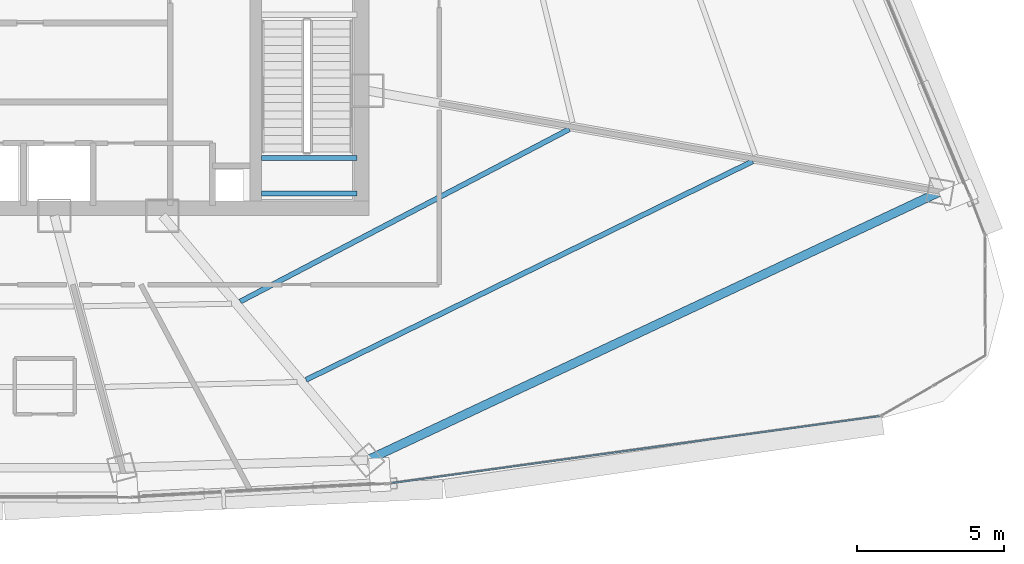
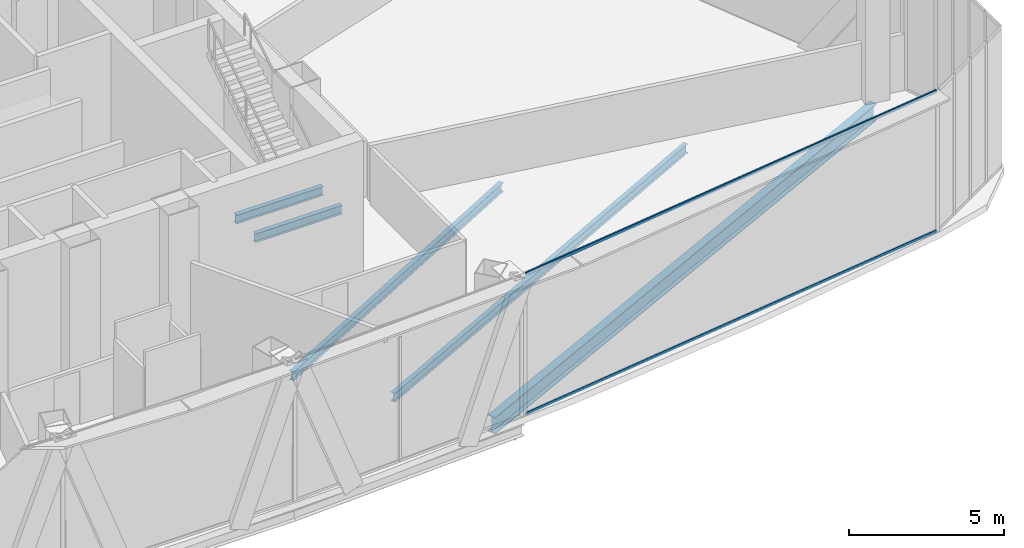
# One storey, part 13 of 38: 5 beams, 2 members, 1 element without a shape of its own.
"""IFC4 building model written with IfcOpenShell, lengths in metres."""

import ifcopenshell
import ifcopenshell.guid

model = None  # the IFC model being written
_history = None  # IfcOwnerHistory: only IFC2X3 demands one
_inside = {}  # id of a spatial element -> (the spatial element, [elements in it])
_under = {}  # id of a project, library or spatial element -> (it, [spatial elements below it])
_declared = {}  # id of a project -> (the project, [libraries it declares])
_typed = {}  # id of a type object -> (the type object, [elements of that type])
_made_of = {}  # id of a material, layer set ... -> (it, [elements and type objects made of it])


def new_model(schema):
    """Start an empty IFC model of exactly this schema.

    Asked for "IFC4X3", IfcOpenShell would pick the latest addendum, in which some entities
    have other attributes; the version numbers below select the first issue.
    IFC2X3 requires an IfcOwnerHistory on every rooted entity: one is made here for all.
    """
    global model, _history
    if schema == "IFC4X3":
        model = ifcopenshell.file(schema_version=(4, 3, 0, 0))
    else:
        model = ifcopenshell.file(schema=schema)
    _inside.clear()
    _under.clear()
    _declared.clear()
    _typed.clear()
    _made_of.clear()
    _history = None
    if model.schema == "IFC2X3":
        org = make("IfcOrganization", Name="unknown")
        user = make(
            "IfcPersonAndOrganization",
            ThePerson=make("IfcPerson", FamilyName="unknown"),
            TheOrganization=org,
        )
        app = make(
            "IfcApplication",
            ApplicationDeveloper=org,
            Version="unknown",
            ApplicationFullName="unknown",
            ApplicationIdentifier="unknown",
        )
        _history = make(
            "IfcOwnerHistory",
            OwningUser=user,
            OwningApplication=app,
            ChangeAction="ADDED",
            CreationDate=0,
        )
    return model


def make(cls, **values):
    """One entity of the class cls with the attributes given. An attribute that is None is left unset."""
    return model.create_entity(
        cls, **{name: value for name, value in values.items() if value is not None}
    )


def rooted(cls, **values):
    """An entity with a GlobalId (a new one), such as an element, a storey or a relation."""
    return make(cls, GlobalId=ifcopenshell.guid.new(), OwnerHistory=_history, **values)


def si_unit(unit_type, name, prefix=None):
    """IfcSIUnit, for example si_unit("LENGTHUNIT", "METRE", prefix="MILLI")."""
    return make("IfcSIUnit", UnitType=unit_type, Prefix=prefix, Name=name)


def assignment(units):
    """IfcUnitAssignment: the units of a project."""
    return None if units is None else make("IfcUnitAssignment", Units=units)


def point(xyz):
    """IfcCartesianPoint."""
    return None if xyz is None else make("IfcCartesianPoint", Coordinates=xyz)


def direction(xyz):
    """IfcDirection."""
    return None if xyz is None else make("IfcDirection", DirectionRatios=xyz)


def frame(location, z_axis=None, x_axis=None):
    """IfcAxis2Placement3D, a coordinate frame: its origin and axes. An axis left out is left unset."""
    return make(
        "IfcAxis2Placement3D",
        Location=point(location),
        Axis=direction(z_axis),
        RefDirection=direction(x_axis),
    )


def frame_2d(location, x_axis=None):
    """IfcAxis2Placement2D, a coordinate frame in the plane: its origin and x axis."""
    return make(
        "IfcAxis2Placement2D", Location=point(location), RefDirection=direction(x_axis)
    )


def origin():
    """The frame at (0, 0, 0) with its axes left unset."""
    return frame((0.0, 0.0, 0.0))


def origin_2d():
    """The frame at (0, 0) in the plane with its x axis left unset."""
    return frame_2d((0.0, 0.0))


def place(relative_to, where):
    """IfcLocalPlacement: puts the frame where relative to a parent placement (None: the world)."""
    return make(
        "IfcLocalPlacement", PlacementRelTo=relative_to, RelativePlacement=where
    )


def context(
    kind, dimensions, precision=None, world=None, true_north=None, identifier=None
):
    """IfcGeometricRepresentationContext, for example the 3D "Model" context."""
    return make(
        "IfcGeometricRepresentationContext",
        ContextIdentifier=identifier,
        ContextType=kind,
        CoordinateSpaceDimension=dimensions,
        Precision=precision,
        WorldCoordinateSystem=world,
        TrueNorth=true_north,
    )


def subcontext(parent, identifier, kind, view, scale=None):
    """IfcGeometricRepresentationSubContext, for example "Body" below "Model"."""
    return make(
        "IfcGeometricRepresentationSubContext",
        ContextIdentifier=identifier,
        ContextType=kind,
        ParentContext=parent,
        TargetScale=scale,
        TargetView=view,
    )


def project(units=None, contexts=None):
    """IfcProject with its units and contexts."""
    return rooted(
        "IfcProject",
        Name="project",
        RepresentationContexts=contexts,
        UnitsInContext=assignment(units),
    )


def spatial(cls, under=None, at=None, **own):
    """A site, building, storey or space (cls), placed at a placement, below another one or the project."""
    s = rooted(cls, ObjectPlacement=at, **own)
    if under is not None:
        _under.setdefault(under.id(), (under, []))[1].append(s)
    return s


def profile(cls, at=None, kind="AREA", **sizes):
    """A parametric profile (cls). Its sizes go by their IFC names, for example OverallWidth=200.0."""
    return make(cls, ProfileType=kind, Position=at, **sizes)


def hollow_rectangle(**sizes):
    """IfcRectangleHollowProfileDef."""
    return profile("IfcRectangleHollowProfileDef", **sizes)


def i_section(**sizes):
    """IfcIShapeProfileDef."""
    return profile("IfcIShapeProfileDef", **sizes)


def extrude(swept, where, along, depth):
    """IfcExtrudedAreaSolid: the profile swept, set in the frame where, extruded along a direction by depth."""
    return make(
        "IfcExtrudedAreaSolid",
        SweptArea=swept,
        Position=where,
        ExtrudedDirection=direction(along),
        Depth=depth,
    )


def shape(context_of_items, identifier, shape_type, items):
    """IfcShapeRepresentation: the items that make up one representation, for example the "Body"."""
    return make(
        "IfcShapeRepresentation",
        ContextOfItems=context_of_items,
        RepresentationIdentifier=identifier,
        RepresentationType=shape_type,
        Items=items,
    )


def source(mapping_origin, context_of_items, identifier, shape_type, items):
    """IfcRepresentationMap: a shape defined once, which mapped items show again and again."""
    return make(
        "IfcRepresentationMap",
        MappingOrigin=mapping_origin,
        MappedRepresentation=shape(context_of_items, identifier, shape_type, items),
    )


def transform(
    local_origin,
    x_axis=None,
    y_axis=None,
    z_axis=None,
    scale=None,
    scale2=None,
    scale3=None,
    uniform=True,
):
    """IfcCartesianTransformationOperator3D, or its non-uniform kind. x_axis, y_axis, z_axis: its Axis1, 2, 3."""
    if uniform:
        return make(
            "IfcCartesianTransformationOperator3D",
            Axis1=direction(x_axis),
            Axis2=direction(y_axis),
            LocalOrigin=point(local_origin),
            Scale=scale,
            Axis3=direction(z_axis),
        )
    return make(
        "IfcCartesianTransformationOperator3DnonUniform",
        Axis1=direction(x_axis),
        Axis2=direction(y_axis),
        LocalOrigin=point(local_origin),
        Scale=scale,
        Axis3=direction(z_axis),
        Scale2=scale2,
        Scale3=scale3,
    )


def mapped(mapping_source, mapping_target):
    """IfcMappedItem: shows the shape of a source again, moved by a transform."""
    return make(
        "IfcMappedItem", MappingSource=mapping_source, MappingTarget=mapping_target
    )


def material(Name=None, Category=None):
    """IfcMaterial."""
    return make("IfcMaterial", Name=Name, Category=Category)


def layer(
    of_material, thickness, ventilated=None, Name=None, Category=None, Priority=None
):
    """IfcMaterialLayer: one layer of a wall or slab, of a material (None: an air gap)."""
    return make(
        "IfcMaterialLayer",
        Material=of_material,
        LayerThickness=thickness,
        IsVentilated=ventilated,
        Name=Name,
        Category=Category,
        Priority=Priority,
    )


def layer_set(layers, Name=None):
    """IfcMaterialLayerSet."""
    return make("IfcMaterialLayerSet", MaterialLayers=layers, LayerSetName=Name)


def material_profile(
    of_material, cross_section, Name=None, Category=None, Priority=None
):
    """IfcMaterialProfile: a cross section and its material."""
    return make(
        "IfcMaterialProfile",
        Name=Name,
        Material=of_material,
        Profile=cross_section,
        Priority=Priority,
        Category=Category,
    )


def profile_set(profiles, Name=None, composite=None):
    """IfcMaterialProfileSet."""
    return make(
        "IfcMaterialProfileSet",
        Name=Name,
        MaterialProfiles=profiles,
        CompositeProfile=composite,
    )


def made_of(thing, what):
    """Note that an element or type object is made of a material, layer set ...; save() writes the relation."""
    if what is not None:
        _made_of.setdefault(what.id(), (what, []))[1].append(thing)
    return thing


def type_object(cls, material=None, **own):
    """A type object (cls), such as IfcWallType, which elements share."""
    return made_of(rooted(cls, **own), material)


def element(
    cls,
    number,
    at=None,
    inside=None,
    cuts=None,
    type_object=None,
    material=None,
    context=None,
    identifier="Body",
    shape_type=None,
    held_by="IfcProductDefinitionShape",
    body=None,
    shapes=None,
    **own,
):
    """One element of the class cls, such as IfcWall. Its Tag is "e" and its number.

    at: its placement. inside: the storey or other place that contains it. cuts: it is an
    opening in that element (IfcRelVoidsElement). A single representation is given by context,
    identifier, shape_type and body (its items); several are given by shapes. held_by: the class
    of the entity that holds the representations. save() writes the other relations.
    """
    e = rooted(cls, Tag="e%d" % number, ObjectPlacement=at, **own)
    if body is not None:
        shapes = [shape(context, identifier, shape_type, body)]
    if shapes is not None:
        e.Representation = make(held_by, Representations=shapes)
    if inside is not None:
        _inside.setdefault(inside.id(), (inside, []))[1].append(e)
    if cuts is not None:
        rooted(
            "IfcRelVoidsElement", RelatingBuildingElement=cuts, RelatedOpeningElement=e
        )
    if type_object is not None:
        _typed.setdefault(type_object.id(), (type_object, []))[1].append(e)
    return made_of(e, material)


def aggregate(whole, parts):
    """IfcRelAggregates: a whole, such as a stair, and the parts it consists of."""
    return rooted("IfcRelAggregates", RelatingObject=whole, RelatedObjects=parts)


def save(model, path):
    """Write the relations noted so far, then the file.

    IfcRelAggregates (storeys below a building ...), IfcRelContainedInSpatialStructure (elements
    in a storey), IfcRelDefinesByType, IfcRelAssociatesMaterial and IfcRelDeclares: one each for
    every whole, place, type object, material and project.
    """
    for whole, parts in _under.values():
        aggregate(whole, parts)
    for where, things in _inside.values():
        rooted(
            "IfcRelContainedInSpatialStructure",
            RelatedElements=things,
            RelatingStructure=where,
        )
    for kind, things in _typed.values():
        rooted("IfcRelDefinesByType", RelatedObjects=things, RelatingType=kind)
    for what, things in _made_of.values():
        rooted("IfcRelAssociatesMaterial", RelatedObjects=things, RelatingMaterial=what)
    for by, libraries in _declared.values():
        rooted("IfcRelDeclares", RelatingContext=by, RelatedDefinitions=libraries)
    model.write(path)


model = new_model("IFC4")

# Units and contexts
model_context = context("Model", 3, precision=1e-05, world=origin(), true_north=direction((0.0, 1.0)))
body_context = subcontext(model_context, "Body", "Model", "MODEL_VIEW")
ifc_project = project(units=[si_unit("LENGTHUNIT", "METRE"), si_unit("AREAUNIT", "SQUARE_METRE"), si_unit("VOLUMEUNIT", "CUBIC_METRE"), si_unit("PLANEANGLEUNIT", "RADIAN"), si_unit("MASSUNIT", "GRAM", prefix="KILO"), si_unit("THERMODYNAMICTEMPERATUREUNIT", "KELVIN"), si_unit("POWERUNIT", "WATT")], contexts=[model_context])

# Site, building, storey
site_placement = place(None, origin())
site = spatial("IfcSite", under=ifc_project, at=site_placement, CompositionType="ELEMENT")
building_placement = place(site_placement, origin())
building = spatial("IfcBuilding", under=site, at=building_placement, Name="Yunzhuo Pagoda Commons", CompositionType="ELEMENT")
storey_placement = place(building_placement, frame((0.0, 0.0, 266.909912109375)))
storey = spatial("IfcBuildingStorey", under=building, at=storey_placement, Name="L67", CompositionType="ELEMENT", Elevation=266.909912109375)

# Beams
ifc_material_1 = material(Name="Structural steel Q355B", Category="steel")
ifc_material_profile_1 = material_profile(ifc_material_1, i_section(OverallWidth=0.175048828125, OverallDepth=0.35009765625, WebThickness=0.007080078125, FlangeThickness=0.010986328125, at=origin_2d()), Name="Structural steel Q355B")
ifc_profile_set_1 = profile_set([ifc_material_profile_1], Name="Structural steel Q355B")
beam_type_1 = type_object("IfcBeamType", Name="B-JS2 Joist HN 350x175x7x11", PredefinedType="JOIST", material=ifc_profile_set_1)
shared_shape_1 = source(origin(), body_context, "Body", "SweptSolid", [
    extrude(i_section(OverallWidth=0.175048828125, OverallDepth=0.35009765625, WebThickness=0.007080078125, FlangeThickness=0.010986328125, at=origin_2d()), origin(), (0.0, 0.0, 1.0), 3.25),
])
for number, where, z_axis, x_axis, name in (
    (1, (56.800048828125, 28.0, 2.550048828125), (1.0, 0.0, 0.0), (0.0, 1.0, 0.0), "L67 ST2 landing support beam 73A"),
    (2, (56.800048828125, 29.219970703125, 2.550048828125), (1.0, 0.0, 0.0), (0.0, 1.0, 0.0), "L67 ST2 landing support beam 73B"),
):
    element("IfcBeam", number, at=place(storey_placement, frame(where, z_axis=z_axis, x_axis=x_axis)), inside=storey, type_object=beam_type_1, Name=name, PredefinedType="JOIST", context=body_context, shape_type="MappedRepresentation", body=[
        mapped(shared_shape_1, transform((0.0, 0.0, 0.0), scale=1.0)),
    ])
ifc_material_profile_2 = material_profile(ifc_material_1, i_section(OverallWidth=0.300048828125, OverallDepth=0.64990234375, WebThickness=0.012939453125, FlangeThickness=0.02197265625, at=origin_2d()), Name="Structural steel Q355B")
ifc_profile_set_2 = profile_set([ifc_material_profile_2], Name="Structural steel Q355B")
beam_type_2 = type_object("IfcBeamType", Name="B-RG2 Beam HN 650x300x13x22", PredefinedType="BEAM", material=ifc_profile_set_2)
shared_shape_2 = source(origin(), body_context, "Body", "SweptSolid", [
    extrude(i_section(OverallWidth=0.300048828125, OverallDepth=0.64990234375, WebThickness=0.012939453125, FlangeThickness=0.02197265625, at=origin_2d()), origin(), (0.0, 0.0, 1.0), 21.56689453125),
])
beam_1_placement = place(storey_placement, frame((60.406982421875, 18.913818359375, -0.5849609375), z_axis=(0.905424265365, 0.424507832304, 0.0), x_axis=(-0.424507832304, 0.905424265365, 0.0)))
element("IfcBeam", 3, at=beam_1_placement, inside=storey, type_object=beam_type_2, Name="L67 column-ring beam 4", PredefinedType="BEAM", context=body_context, shape_type="MappedRepresentation", body=[
    mapped(shared_shape_2, transform((0.0, 0.0, 0.0), scale=1.0)),
])
shared_shape_3 = source(origin(), body_context, "Body", "SweptSolid", [
    extrude(i_section(OverallWidth=0.175048828125, OverallDepth=0.35009765625, WebThickness=0.007080078125, FlangeThickness=0.010986328125, at=origin_2d()), origin(), (0.0, 0.0, 1.0), 12.666259765625),
])
beam_2_placement = place(storey_placement, frame((56.0712890625, 24.32275390625, -0.434814453125), z_axis=(0.885841344078, 0.463988268302, 0.0), x_axis=(-0.463988268302, 0.885841344078, 0.0)))
element("IfcBeam", 4, at=beam_2_placement, inside=storey, type_object=beam_type_1, Name="L67 composite ring joist 1.4", PredefinedType="JOIST", context=body_context, shape_type="MappedRepresentation", body=[
    mapped(shared_shape_3, transform((0.0, 0.0, 0.0), scale=1.0)),
])
shared_shape_4 = source(origin(), body_context, "Body", "SweptSolid", [
    extrude(i_section(OverallWidth=0.175048828125, OverallDepth=0.35009765625, WebThickness=0.007080078125, FlangeThickness=0.010986328125, at=origin_2d()), origin(), (0.0, 0.0, 1.0), 16.95361328125),
])
beam_3_placement = place(storey_placement, frame((58.3115234375, 21.6513671875, -0.434814453125), z_axis=(0.898261717675, 0.439460904473, 0.0), x_axis=(-0.439460904473, 0.898261717675, 0.0)))
element("IfcBeam", 5, at=beam_3_placement, inside=storey, type_object=beam_type_1, Name="L67 composite ring joist 2.4", PredefinedType="JOIST", context=body_context, shape_type="MappedRepresentation", body=[
    mapped(shared_shape_4, transform((0.0, 0.0, 0.0), scale=1.0)),
])

# Curtain wall, members
ifc_material_2 = material(Name="Anodized aluminium 6063-T6", Category="aluminium")
ifc_layer = layer(ifc_material_2, 0.139892578125)
ifc_layer_set = layer_set([ifc_layer], Name="Anodized aluminium 6063-T6")
curtain_wall_type = type_object("IfcCurtainWallType", Name="CW-HI High-Zone Ribbon Curtain Wall", PredefinedType="NOTDEFINED", material=ifc_layer_set)
curtain_wall_placement = place(storey_placement, origin())
curtain_wall = element("IfcCurtainWall", 6, at=curtain_wall_placement, inside=storey, type_object=curtain_wall_type, Name="L67 curtain wall CW-L67-F1B5", PredefinedType="NOTDEFINED")
ifc_material_profile_3 = material_profile(ifc_material_2, hollow_rectangle(XDim=0.054931640625, YDim=0.1201171875, WallThickness=0.00341796875, at=origin_2d()), Name="Anodized aluminium 6063-T6")
ifc_profile_set_3 = profile_set([ifc_material_profile_3], Name="Anodized aluminium 6063-T6")
member_type = type_object("IfcMemberType", Name="CW-HI-T Transom RHS 120x55x3.5", PredefinedType="USERDEFINED", material=ifc_profile_set_3)
shared_shape_5 = source(origin(), body_context, "Body", "SweptSolid", [
    extrude(hollow_rectangle(XDim=0.054931640625, YDim=0.1201171875, WallThickness=0.00341796875, at=origin_2d()), origin(), (0.0, 0.0, 1.0), 16.80810546875),
])
member_1_placement = place(storey_placement, frame((61.2158203125, 18.1279296875, 0.027587890625), z_axis=(0.990697109219, 0.136085406215, 0.0), x_axis=(-0.136085406215, 0.990697109219, 0.0)))
member_1 = element("IfcMember", 7, at=member_1_placement, type_object=member_type, Name="CW transom 1.1", ObjectType="TRANSOM", PredefinedType="USERDEFINED", context=body_context, shape_type="MappedRepresentation", body=[
    mapped(shared_shape_5, transform((0.0, 0.0, 0.0), scale=1.0)),
])
member_2_placement = place(storey_placement, frame((61.2158203125, 18.1279296875, 5.54248046875), z_axis=(0.990697109219, 0.136085406215, 0.0), x_axis=(-0.136085406215, 0.990697109219, 0.0)))
member_2 = element("IfcMember", 8, at=member_2_placement, type_object=member_type, Name="CW transom 1.2", ObjectType="TRANSOM", PredefinedType="USERDEFINED", context=body_context, shape_type="MappedRepresentation", body=[
    mapped(shared_shape_5, transform((0.0, 0.0, 0.0), scale=1.0)),
])
aggregate(curtain_wall, [member_1, member_2])

save(model, "model.ifc")
